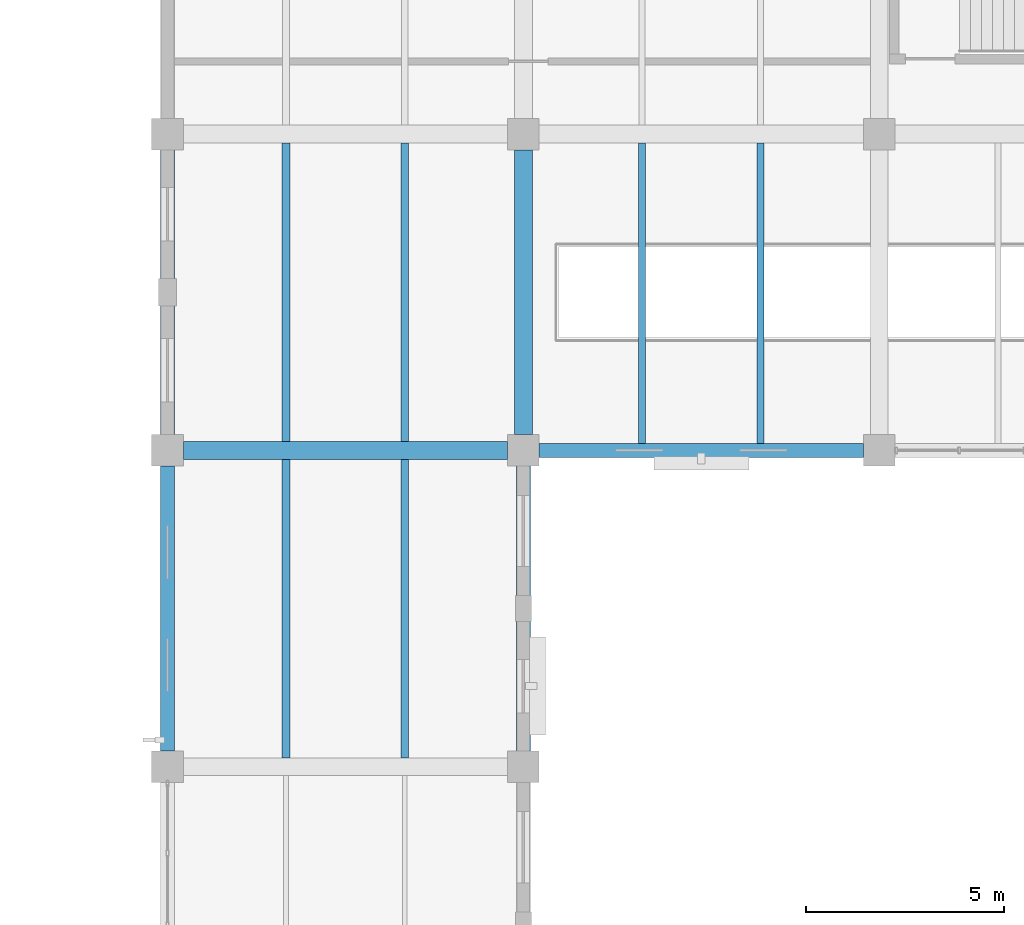
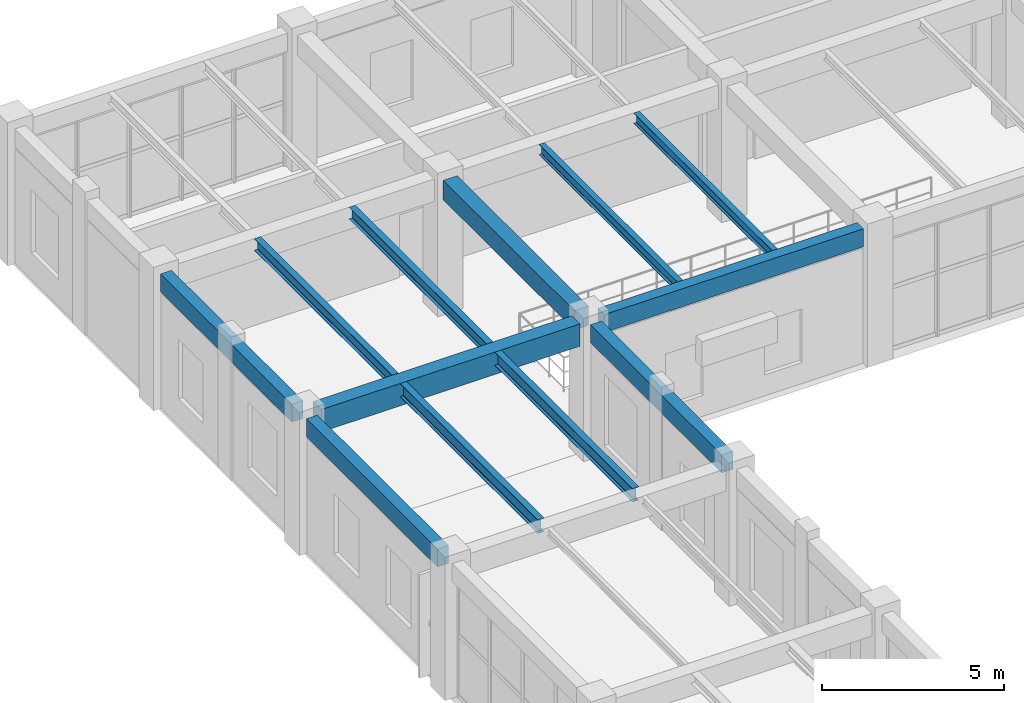
# One storey, part 103 of 178: 12 beams.
"""IFC4 building model written with IfcOpenShell, lengths in metres."""

from ifc_helpers import new_model, si_unit, derived_unit, direction, frame, origin, origin_2d, place, context, subcontext, project, spatial, rectangle, i_section, extrude, material, material_profile, profile_set, type_object, element, save


model = new_model("IFC4")

# Units and contexts
model_context = context("Model", 3, precision=1e-05, world=origin(), true_north=direction((0.0, 1.0)))
body_context = subcontext(model_context, "Body", "Model", "MODEL_VIEW")
ifc_project = project(units=[si_unit("LENGTHUNIT", "METRE"), si_unit("AREAUNIT", "SQUARE_METRE"), si_unit("VOLUMEUNIT", "CUBIC_METRE"), si_unit("PLANEANGLEUNIT", "RADIAN"), si_unit("MASSUNIT", "GRAM", prefix="KILO"), derived_unit("THERMALTRANSMITTANCEUNIT", [(si_unit("MASSUNIT", "GRAM", prefix="KILO"), 1), (si_unit("TIMEUNIT", "SECOND"), -3), (si_unit("THERMODYNAMICTEMPERATUREUNIT", "KELVIN"), -1)])], contexts=[model_context])

# Site, building, storey
site_placement = place(None, origin())
site = spatial("IfcSite", under=ifc_project, at=site_placement, CompositionType="ELEMENT")
building_placement = place(site_placement, origin())
building = spatial("IfcBuilding", under=site, at=building_placement, Name="Zhenchuan Archway Interchange", CompositionType="ELEMENT")
storey_placement = place(building_placement, frame((0.0, 0.0, 5.39990234375)))
storey = spatial("IfcBuildingStorey", under=building, at=storey_placement, Name="L01", CompositionType="ELEMENT", Elevation=5.39990234375)

# Beams
ifc_material_1 = material(Name="Concrete C40", Category="concrete")
ifc_material_profile_1 = material_profile(ifc_material_1, rectangle(XDim=0.449951171875, YDim=0.64990234375, at=origin_2d()), Name="RC 450x650")
ifc_profile_set_1 = profile_set([ifc_material_profile_1], Name="Concrete C40")
beam_type_1 = type_object("IfcBeamType", Name="BM_RC_450x650", PredefinedType="BEAM", material=ifc_profile_set_1)
beam_1_placement = place(storey_placement, frame((108.0, 88.39990234375, 4.18505859375), z_axis=(0.0, 1.0, 0.0), x_axis=(-1.0, 0.0, 0.0)))
element("IfcBeam", 1, at=beam_1_placement, inside=storey, type_object=beam_type_1, Name="Beam 13:M-N (L01)", PredefinedType="BEAM", context=body_context, shape_type="SweptSolid", body=[
    extrude(rectangle(XDim=0.449951171875, YDim=0.64990234375, at=origin_2d()), origin(), (0.0, 0.0, 1.0), 7.2001953125),
])
ifc_material_profile_2 = material_profile(ifc_material_1, rectangle(XDim=0.449951171875, YDim=0.75, at=origin_2d()), Name="RC 450x750")
ifc_profile_set_2 = profile_set([ifc_material_profile_2], Name="Concrete C40")
beam_type_2 = type_object("IfcBeamType", Name="BM_RC_450x750", PredefinedType="BEAM", material=ifc_profile_set_2)
beam_2_placement = place(storey_placement, frame((99.39990234375, 88.0, 4.135009765625), z_axis=(1.0, 0.0, 0.0), x_axis=(0.0, 1.0, 0.0)))
element("IfcBeam", 2, at=beam_2_placement, inside=storey, type_object=beam_type_2, Name="Beam M:12-13 (L01)", PredefinedType="BEAM", context=body_context, shape_type="SweptSolid", body=[
    extrude(rectangle(XDim=0.449951171875, YDim=0.75, at=origin_2d()), origin(), (0.0, 0.0, 1.0), 8.2001953125),
])
ifc_material_2 = material(Name="Steel Q355", Category="steel")
ifc_material_profile_3 = material_profile(ifc_material_2, i_section(OverallWidth=0.175048828125, OverallDepth=0.35009765625, WebThickness=0.007080078125, FlangeThickness=0.010986328125, FilletRadius=0.013916015625, at=origin_2d()), Name="HN 350x175")
ifc_profile_set_3 = profile_set([ifc_material_profile_3], Name="Steel Q355")
beam_type_3 = type_object("IfcBeamType", Name="JST_STL_HN350", PredefinedType="JOIST", material=ifc_profile_set_3)
for number, where, z_axis, x_axis, name in (
    (3, (111.0, 88.175048828125, 4.335205078125), (0.0, 1.0, 0.0), (-1.0, 0.0, 0.0), "Secondary joist 13-14/M-N #1 (L01)"),
    (4, (114.0, 88.175048828125, 4.335205078125), (0.0, 1.0, 0.0), (-1.0, 0.0, 0.0), "Secondary joist 13-14/M-N #2 (L01)"),
):
    element("IfcBeam", number, at=place(storey_placement, frame(where, z_axis=z_axis, x_axis=x_axis)), inside=storey, type_object=beam_type_3, Name=name, PredefinedType="JOIST", context=body_context, shape_type="SweptSolid", body=[
        extrude(i_section(OverallWidth=0.175048828125, OverallDepth=0.35009765625, WebThickness=0.007080078125, FlangeThickness=0.010986328125, FilletRadius=0.013916015625, at=origin_2d()), origin(), (0.0, 0.0, 1.0), 7.599853515625),
    ])
ifc_material_profile_4 = material_profile(ifc_material_2, i_section(OverallWidth=0.199951171875, OverallDepth=0.39990234375, WebThickness=0.008056640625, FlangeThickness=0.012939453125, FilletRadius=0.01611328125, at=origin_2d()), Name="HN 400x200")
ifc_profile_set_4 = profile_set([ifc_material_profile_4], Name="Steel Q355")
beam_type_4 = type_object("IfcBeamType", Name="JST_STL_HN400", PredefinedType="JOIST", material=ifc_profile_set_4)
for number, where, z_axis, x_axis, name in (
    (5, (102.0, 88.22509765625, 4.31005859375), (0.0, 1.0, 0.0), (-1.0, 0.0, 0.0), "Secondary joist 12-13/M-N #1 (L01)"),
    (6, (105.0, 88.22509765625, 4.31005859375), (0.0, 1.0, 0.0), (-1.0, 0.0, 0.0), "Secondary joist 12-13/M-N #2 (L01)"),
):
    element("IfcBeam", number, at=place(storey_placement, frame(where, z_axis=z_axis, x_axis=x_axis)), inside=storey, type_object=beam_type_4, Name=name, PredefinedType="JOIST", context=body_context, shape_type="SweptSolid", body=[
        extrude(i_section(OverallWidth=0.199951171875, OverallDepth=0.39990234375, WebThickness=0.008056640625, FlangeThickness=0.012939453125, FilletRadius=0.01611328125, at=origin_2d()), origin(), (0.0, 0.0, 1.0), 7.5498046875),
    ])
ifc_material_profile_5 = material_profile(ifc_material_2, i_section(OverallWidth=0.199951171875, OverallDepth=0.449951171875, WebThickness=0.009033203125, FlangeThickness=0.013916015625, FilletRadius=0.01806640625, at=origin_2d()), Name="HN 450x200")
ifc_profile_set_5 = profile_set([ifc_material_profile_5], Name="Steel Q355")
beam_type_5 = type_object("IfcBeamType", Name="JST_STL_HN450", PredefinedType="JOIST", material=ifc_profile_set_5)
for number, where, z_axis, x_axis, name in (
    (7, (102.0, 80.22509765625, 4.28515625), (0.0, 1.0, 0.0), (-1.0, 0.0, 0.0), "Secondary joist 12-13/L-M #1 (L01)"),
    (8, (105.0, 80.22509765625, 4.28515625), (0.0, 1.0, 0.0), (-1.0, 0.0, 0.0), "Secondary joist 12-13/L-M #2 (L01)"),
):
    element("IfcBeam", number, at=place(storey_placement, frame(where, z_axis=z_axis, x_axis=x_axis)), inside=storey, type_object=beam_type_5, Name=name, PredefinedType="JOIST", context=body_context, shape_type="SweptSolid", body=[
        extrude(i_section(OverallWidth=0.199951171875, OverallDepth=0.449951171875, WebThickness=0.009033203125, FlangeThickness=0.013916015625, FilletRadius=0.01806640625, at=origin_2d()), origin(), (0.0, 0.0, 1.0), 7.5498046875),
    ])
ifc_material_profile_6 = material_profile(ifc_material_1, rectangle(XDim=0.35009765625, YDim=0.60009765625, at=origin_2d()), Name="RC 350x600")
ifc_profile_set_6 = profile_set([ifc_material_profile_6], Name="Concrete C40")
beam_type_6 = type_object("IfcBeamType", Name="SP_RC_350x600", PredefinedType="SPANDREL", material=ifc_profile_set_6)
beam_3_placement = place(storey_placement, frame((108.39990234375, 88.0, 4.210205078125), z_axis=(1.0, 0.0, 0.0), x_axis=(0.0, 1.0, 0.0)))
element("IfcBeam", 9, at=beam_3_placement, inside=storey, type_object=beam_type_6, Name="Beam M:13-14 (L01)", PredefinedType="SPANDREL", context=body_context, shape_type="SweptSolid", body=[
    extrude(rectangle(XDim=0.35009765625, YDim=0.60009765625, at=origin_2d()), origin(), (0.0, 0.0, 1.0), 8.2001953125),
])
for number, where, z_axis, x_axis, name in (
    (10, (99.0, 80.39990234375, 4.210205078125), (0.0, 1.0, 0.0), (-1.0, 0.0, 0.0), "Beam 12:L-M (L01)"),
    (11, (99.0, 88.39990234375, 4.210205078125), (0.0, 1.0, 0.0), (-1.0, 0.0, 0.0), "Beam 12:M-N (L01)"),
    (12, (108.0, 80.39990234375, 4.210205078125), (0.0, 1.0, 0.0), (-1.0, 0.0, 0.0), "Beam 13:L-M (L01)"),
):
    element("IfcBeam", number, at=place(storey_placement, frame(where, z_axis=z_axis, x_axis=x_axis)), inside=storey, type_object=beam_type_6, Name=name, PredefinedType="SPANDREL", context=body_context, shape_type="SweptSolid", body=[
        extrude(rectangle(XDim=0.35009765625, YDim=0.60009765625, at=origin_2d()), origin(), (0.0, 0.0, 1.0), 7.2001953125),
    ])

save(model, "model.ifc")
